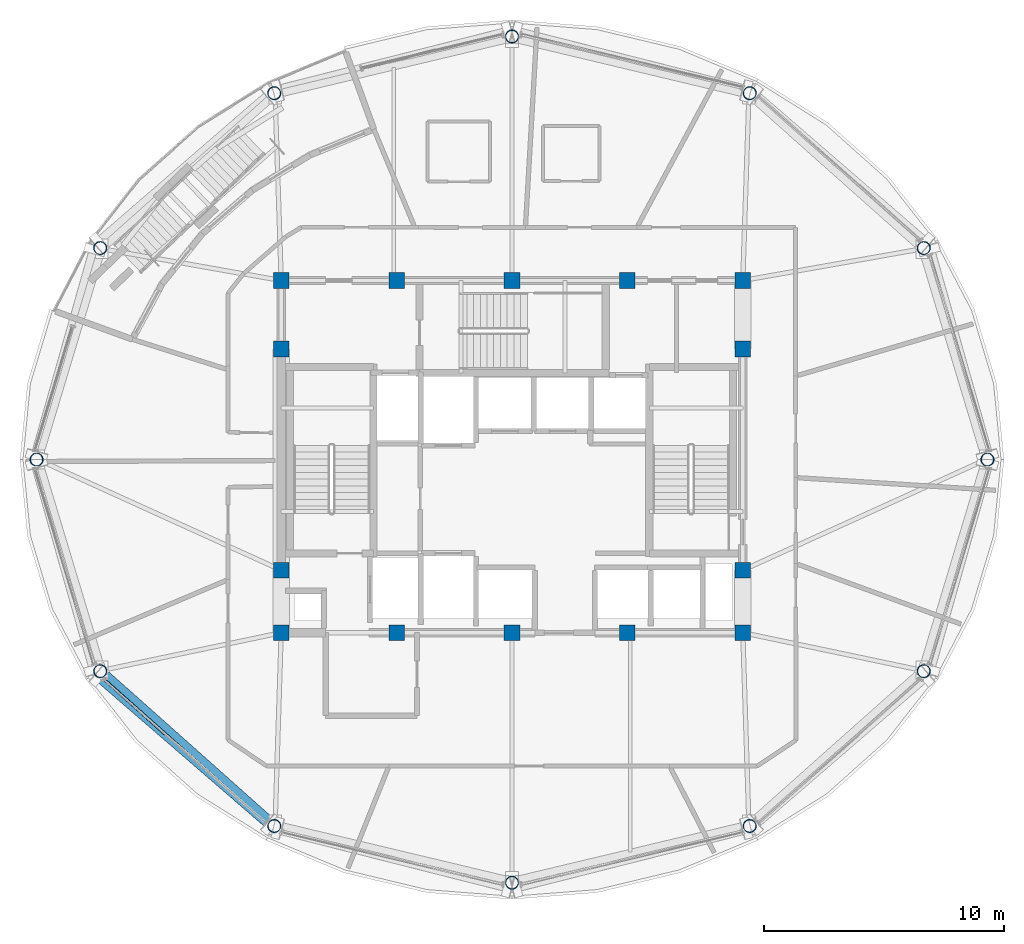
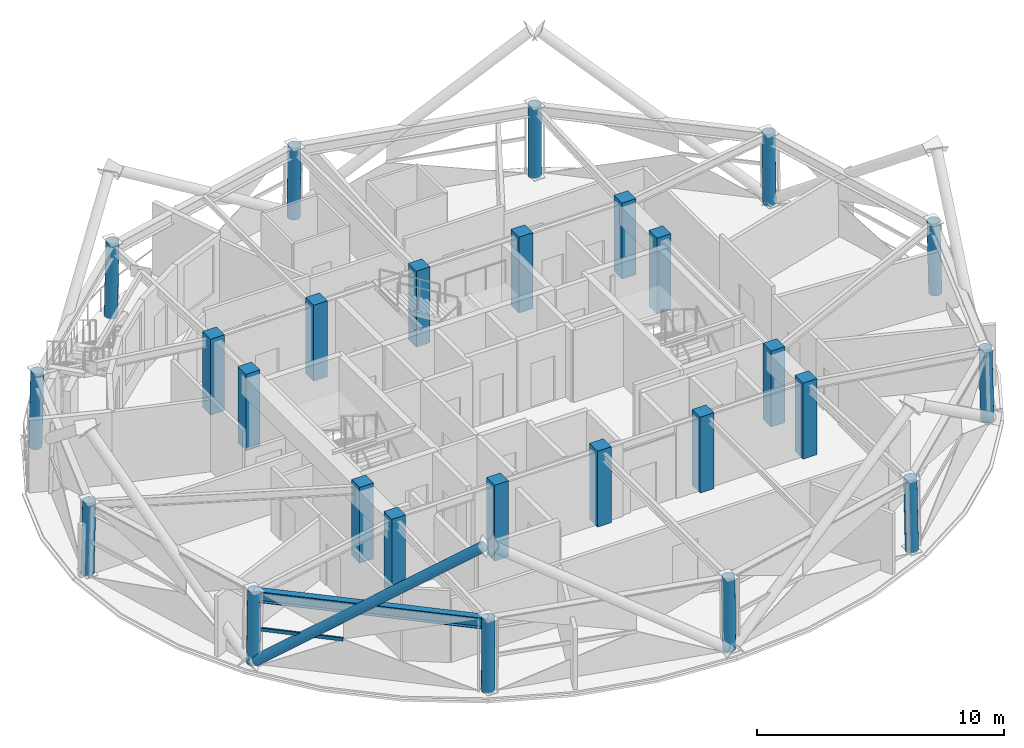
# One storey, part 1 of 16: 26 columns, 2 members, 1 beam, 1 element without a shape of its own.
"""IFC4 building model written with IfcOpenShell, lengths in metres."""

from ifc_helpers import new_model, si_unit, direction, frame, origin, origin_2d, place, context, subcontext, project, spatial, rectangle, hollow_rectangle, hollow_circle, i_section, extrude, material, layer, layer_set, material_profile, profile_set, type_object, element, aggregate, save


model = new_model("IFC4")

# Units and contexts
model_context = context("Model", 3, precision=1e-05, world=origin(), true_north=direction((0.0, 1.0)))
body_context = subcontext(model_context, "Body", "Model", "MODEL_VIEW")
ifc_project = project(units=[si_unit("LENGTHUNIT", "METRE"), si_unit("AREAUNIT", "SQUARE_METRE"), si_unit("VOLUMEUNIT", "CUBIC_METRE"), si_unit("PLANEANGLEUNIT", "RADIAN"), si_unit("MASSUNIT", "GRAM", prefix="KILO")], contexts=[model_context])

# Site, building, storey
site_placement = place(None, origin())
site = spatial("IfcSite", under=ifc_project, at=site_placement, CompositionType="ELEMENT")
building_placement = place(site_placement, origin())
building = spatial("IfcBuilding", under=site, at=building_placement, Name="Vantalir Tower", CompositionType="ELEMENT")
storey_placement = place(building_placement, frame((0.0, 0.0, 267.60009765625)))
storey = spatial("IfcBuildingStorey", under=building, at=storey_placement, Name="L67", CompositionType="ELEMENT", Elevation=267.60009765625)

# Columns
ifc_material_1 = material(Name="Concrete C50/60", Category="concrete")
ifc_material_profile_1 = material_profile(ifc_material_1, rectangle(XDim=0.64990234375, YDim=0.64990234375, at=origin_2d()), Name="Concrete C50/60")
ifc_profile_set_1 = profile_set([ifc_material_profile_1], Name="Concrete C50/60")
column_type_1 = type_object("IfcColumnType", Name="COL-CC-650", PredefinedType="COLUMN", material=ifc_profile_set_1)
for number, where, z_axis, x_axis, name in (
    (1, (21.89990234375, 17.800048828125, 0.0), (0.0, 0.0, 1.0), (1.0, 0.0, 0.0), "L67 Core Column CC01"),
    (2, (26.699951171875, 17.800048828125, 0.0), (0.0, 0.0, 1.0), (1.0, 0.0, 0.0), "L67 Core Column CC02"),
    (3, (31.5, 17.800048828125, 0.0), (0.0, 0.0, 1.0), (1.0, 0.0, 0.0), "L67 Core Column CC03"),
    (4, (36.300048828125, 17.800048828125, 0.0), (0.0, 0.0, 1.0), (1.0, 0.0, 0.0), "L67 Core Column CC04"),
    (5, (41.10009765625, 17.800048828125, 0.0), (0.0, 0.0, 1.0), (1.0, 0.0, 0.0), "L67 Core Column CC05"),
    (6, (21.89990234375, 20.39990234375, 0.0), (0.0, 0.0, 1.0), (1.0, 0.0, 0.0), "L67 Core Column CC06"),
    (7, (21.89990234375, 29.60009765625, 0.0), (0.0, 0.0, 1.0), (1.0, 0.0, 0.0), "L67 Core Column CC07"),
    (8, (41.10009765625, 20.39990234375, 0.0), (0.0, 0.0, 1.0), (1.0, 0.0, 0.0), "L67 Core Column CC08"),
    (9, (41.10009765625, 29.60009765625, 0.0), (0.0, 0.0, 1.0), (1.0, 0.0, 0.0), "L67 Core Column CC09"),
    (10, (21.89990234375, 32.449951171875, 0.0), (0.0, 0.0, 1.0), (1.0, 0.0, 0.0), "L67 Core Column CC10"),
    (11, (26.699951171875, 32.449951171875, 0.0), (0.0, 0.0, 1.0), (1.0, 0.0, 0.0), "L67 Core Column CC11"),
    (12, (31.5, 32.449951171875, 0.0), (0.0, 0.0, 1.0), (1.0, 0.0, 0.0), "L67 Core Column CC12"),
    (13, (36.300048828125, 32.449951171875, 0.0), (0.0, 0.0, 1.0), (1.0, 0.0, 0.0), "L67 Core Column CC13"),
    (14, (41.10009765625, 32.449951171875, 0.0), (0.0, 0.0, 1.0), (1.0, 0.0, 0.0), "L67 Core Column CC14"),
):
    element("IfcColumn", number, at=place(storey_placement, frame(where, z_axis=z_axis, x_axis=x_axis)), inside=storey, type_object=column_type_1, Name=name, PredefinedType="COLUMN", context=body_context, shape_type="SweptSolid", body=[
        extrude(rectangle(XDim=0.64990234375, YDim=0.64990234375, at=origin_2d()), origin(), (0.0, 0.0, 1.0), 3.75),
    ])
ifc_material_2 = material(Name="Steel S460", Category="steel")
ifc_material_profile_2 = material_profile(ifc_material_2, hollow_circle(Radius=0.27490234375, WallThickness=0.02490234375, at=origin_2d()), Name="Steel S460")
ifc_profile_set_2 = profile_set([ifc_material_profile_2], Name="Steel S460")
column_type_2 = type_object("IfcColumnType", Name="COL-RC-550", PredefinedType="COLUMN", material=ifc_profile_set_2)
for number, where, z_axis, x_axis, name in (
    (15, (51.2900390625, 25.0, 0.0), (-0.022426310188, 0.0, 0.999748498679), (0.0, -1.0, 0.0), "L67 Perimeter Ring Column RC01"),
    (16, (48.638916015625, 33.804931640625, 0.0), (-0.019554839532, -0.010050914025, 0.999758264471), (0.457137201468, -0.88939618789, 0.0), "L67 Perimeter Ring Column RC02"),
):
    element("IfcColumn", number, at=place(storey_placement, frame(where, z_axis=z_axis, x_axis=x_axis)), inside=storey, type_object=column_type_2, Name=name, PredefinedType="COLUMN", context=body_context, shape_type="SweptSolid", body=[
        extrude(hollow_circle(Radius=0.27490234375, WallThickness=0.02490234375, at=origin_2d()), origin(), (0.0, 0.0, 1.0), 3.57080078125),
    ])
for number, where, z_axis, x_axis, name in (
    (17, (41.39501953125, 40.251953125, 0.0), (-0.011213525301, -0.017640789803, 0.999781505823), (0.843930762077, -0.536452112328, 0.0), "L67 Perimeter Ring Column RC03"),
    (18, (31.5, 42.611083984375, 0.0), (0.0, -0.020170973932, 0.999796545208), (1.0, 0.0, 0.0), "L67 Perimeter Ring Column RC04"),
):
    element("IfcColumn", number, at=place(storey_placement, frame(where, z_axis=z_axis, x_axis=x_axis)), inside=storey, type_object=column_type_2, Name=name, PredefinedType="COLUMN", context=body_context, shape_type="SweptSolid", body=[
        extrude(hollow_circle(Radius=0.27490234375, WallThickness=0.02490234375, at=origin_2d()), origin(), (0.0, 0.0, 1.0), 3.570556640625),
    ])
for number, where, z_axis, x_axis, name in (
    (19, (21.60498046875, 40.251953125, 0.0), (0.010749824264, -0.016911308904, 0.999799204295), (0.843930762077, 0.536452112328, 0.0), "L67 Perimeter Ring Column RC05"),
    (20, (14.361083984375, 33.804931640625, 0.0), (0.018746244257, -0.009635307363, 0.999777844913), (0.457137201468, 0.88939618789, 0.0), "L67 Perimeter Ring Column RC06"),
):
    element("IfcColumn", number, at=place(storey_placement, frame(where, z_axis=z_axis, x_axis=x_axis)), inside=storey, type_object=column_type_2, Name=name, PredefinedType="COLUMN", context=body_context, shape_type="SweptSolid", body=[
        extrude(hollow_circle(Radius=0.27490234375, WallThickness=0.02490234375, at=origin_2d()), origin(), (0.0, 0.0, 1.0), 3.724609375),
    ])
for number, where, z_axis, x_axis, name in (
    (21, (11.7099609375, 25.0, 0.0), (0.022426310188, 0.0, 0.999748498679), (0.0, 1.0, 0.0), "L67 Perimeter Ring Column RC07"),
    (22, (14.361083984375, 16.194091796875, 0.0), (0.019554839532, 0.010050914025, 0.999758264471), (-0.457137201468, 0.88939618789, 0.0), "L67 Perimeter Ring Column RC08"),
):
    element("IfcColumn", number, at=place(storey_placement, frame(where, z_axis=z_axis, x_axis=x_axis)), inside=storey, type_object=column_type_2, Name=name, PredefinedType="COLUMN", context=body_context, shape_type="SweptSolid", body=[
        extrude(hollow_circle(Radius=0.27490234375, WallThickness=0.02490234375, at=origin_2d()), origin(), (0.0, 0.0, 1.0), 3.57080078125),
    ])
for number, where, z_axis, x_axis, name in (
    (23, (21.60498046875, 9.748046875, 0.0), (0.011213525301, 0.017640789803, 0.999781505823), (-0.843930762077, 0.536452112328, 0.0), "L67 Perimeter Ring Column RC09"),
    (24, (31.5, 7.388916015625, 0.0), (0.0, 0.020170973932, 0.999796545208), (-1.0, 0.0, 0.0), "L67 Perimeter Ring Column RC10"),
    (25, (41.39501953125, 9.748046875, 0.0), (-0.011213525301, 0.017640789803, 0.999781505823), (-0.843930762077, -0.536452112328, 0.0), "L67 Perimeter Ring Column RC11"),
):
    element("IfcColumn", number, at=place(storey_placement, frame(where, z_axis=z_axis, x_axis=x_axis)), inside=storey, type_object=column_type_2, Name=name, PredefinedType="COLUMN", context=body_context, shape_type="SweptSolid", body=[
        extrude(hollow_circle(Radius=0.27490234375, WallThickness=0.02490234375, at=origin_2d()), origin(), (0.0, 0.0, 1.0), 3.570556640625),
    ])
column_placement = place(storey_placement, frame((48.638916015625, 16.194091796875, 0.0), z_axis=(-0.019554839532, 0.010050914025, 0.999758264471), x_axis=(-0.457137201468, -0.88939618789, 0.0)))
element("IfcColumn", 26, at=column_placement, inside=storey, type_object=column_type_2, Name="L67 Perimeter Ring Column RC12", PredefinedType="COLUMN", context=body_context, shape_type="SweptSolid", body=[
    extrude(hollow_circle(Radius=0.27490234375, WallThickness=0.02490234375, at=origin_2d()), origin(), (0.0, 0.0, 1.0), 3.57080078125),
])

# Beam
ifc_material_profile_3 = material_profile(ifc_material_2, i_section(OverallWidth=0.31201171875, OverallDepth=0.5419921875, WebThickness=0.0126953125, FlangeThickness=0.020263671875, at=origin_2d()), Name="Steel S460")
ifc_profile_set_3 = profile_set([ifc_material_profile_3], Name="Steel S460")
beam_type = type_object("IfcBeamType", Name="BM-RG-533x312", PredefinedType="USERDEFINED", material=ifc_profile_set_3)
beam_placement = place(storey_placement, frame((14.430908203125, 16.22998046875, 3.298828125), z_axis=(0.747080028065, -0.66473410599, 0.0), x_axis=(0.66473410599, 0.747080028065, 0.0)))
element("IfcBeam", 27, at=beam_placement, inside=storey, type_object=beam_type, Name="L67 Circumferential Ring Girder 08", ObjectType="GIRDER", PredefinedType="USERDEFINED", context=body_context, shape_type="SweptSolid", body=[
    extrude(i_section(OverallWidth=0.31201171875, OverallDepth=0.5419921875, WebThickness=0.0126953125, FlangeThickness=0.020263671875, at=origin_2d()), origin(), (0.0, 0.0, 1.0), 9.656494140625),
])

# Curtain wall, member
ifc_material_3 = material(Name="Champagne-silver PVDF aluminium and double-silver Low-E glass", Category="aluminium")
ifc_layer = layer(ifc_material_3, 0.219970703125)
ifc_layer_set = layer_set([ifc_layer], Name="Champagne-silver PVDF aluminium and double-silver Low-E glass")
curtain_wall_type = type_object("IfcCurtainWallType", Name="CW-DIAMOND-Z4", PredefinedType="USERDEFINED", material=ifc_layer_set)
curtain_wall_placement = place(storey_placement, origin())
curtain_wall = element("IfcCurtainWall", 28, at=curtain_wall_placement, inside=storey, type_object=curtain_wall_type, Name="L67 Quilted Pyramid-Diamond Curtain Wall S08", ObjectType="UNITISED CURTAIN WALL", PredefinedType="USERDEFINED")
ifc_material_4 = material(Name="Champagne-silver PVDF aluminium 6063-T6", Category="aluminium")
ifc_material_profile_4 = material_profile(ifc_material_4, hollow_rectangle(XDim=0.074951171875, YDim=0.159912109375, WallThickness=0.00390625, at=origin_2d()), Name="Champagne-silver PVDF aluminium 6063-T6")
ifc_profile_set_4 = profile_set([ifc_material_profile_4], Name="Champagne-silver PVDF aluminium 6063-T6")
member_type_1 = type_object("IfcMemberType", Name="CWT-160x75", PredefinedType="USERDEFINED", material=ifc_profile_set_4)
member_1_placement = place(storey_placement, frame((14.52294921875, 15.85791015625, 1.784912109375), z_axis=(0.741959187659, -0.670445049089, 0.0), x_axis=(0.670445049089, 0.741959187659, 0.0)))
member_1 = element("IfcMember", 29, at=member_1_placement, type_object=member_type_1, Name="CW-L67-S08 Pyramid Fold Ridge Transom", ObjectType="TRANSOM", PredefinedType="USERDEFINED", context=body_context, shape_type="SweptSolid", body=[
    extrude(hollow_rectangle(XDim=0.074951171875, YDim=0.159912109375, WallThickness=0.00390625, at=origin_2d()), origin(), (0.0, 0.0, 1.0), 3.413818359375),
])
aggregate(curtain_wall, [member_1])

# Member
ifc_material_profile_5 = material_profile(ifc_material_2, hollow_circle(Radius=0.22998046875, WallThickness=0.028076171875, at=origin_2d()), Name="Steel S460")
ifc_profile_set_5 = profile_set([ifc_material_profile_5], Name="Steel S460")
member_type_2 = type_object("IfcMemberType", Name="MEM-DB-460x28", PredefinedType="BRACE", material=ifc_profile_set_5)
member_2_placement = place(storey_placement, frame((14.3310546875, 15.98291015625, 0.2099609375), z_axis=(0.610275821848, -0.52752974773, 0.590995589263), x_axis=(0.653955913371, 0.756532658494, 0.0)))
element("IfcMember", 30, at=member_2_placement, inside=storey, type_object=member_type_2, Name="L67 Perimeter S460 Diagrid Brace R22L", PredefinedType="BRACE", context=body_context, shape_type="SweptSolid", body=[
    extrude(hollow_circle(Radius=0.22998046875, WallThickness=0.028076171875, at=origin_2d()), origin(), (0.0, 0.0, 1.0), 11.675048828125),
])

save(model, "model.ifc")
